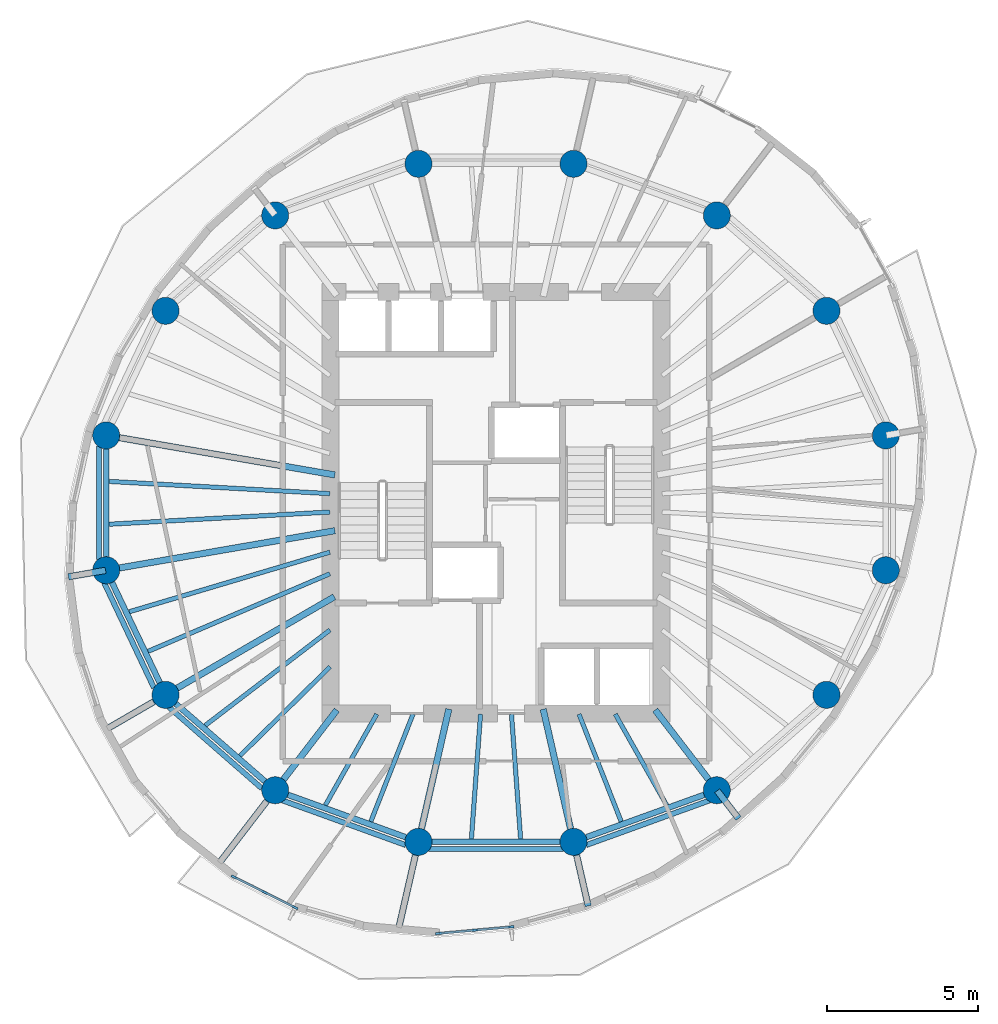
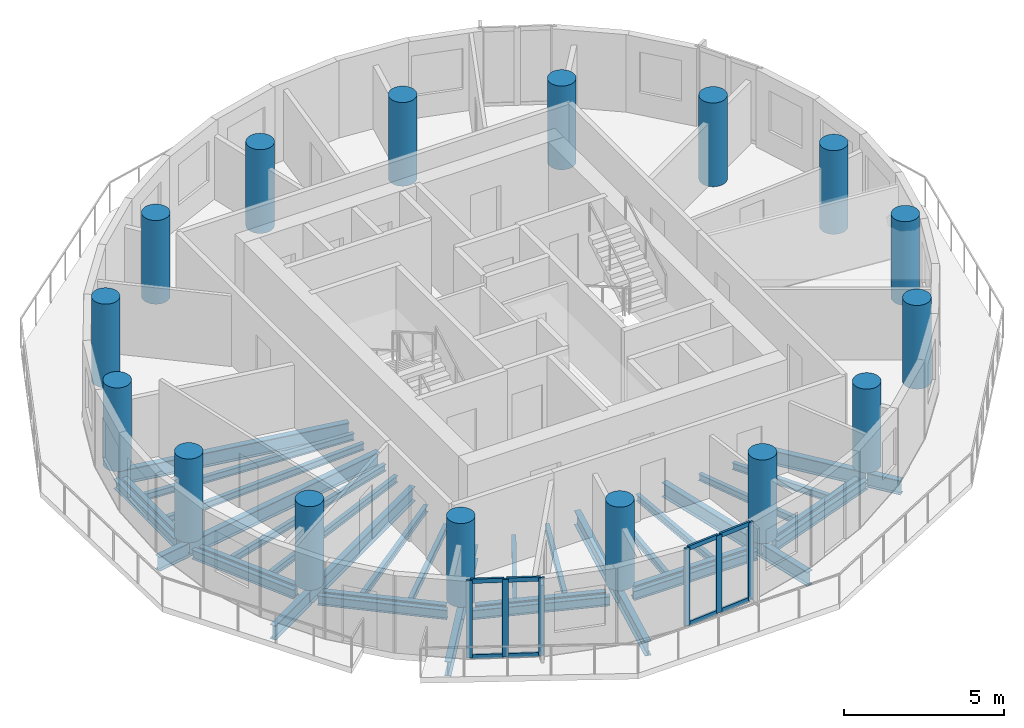
# One storey, part 1 of 10: 37 beams, 16 columns, 14 members, 2 elements without a shape of their own.
"""IFC4 building model written with IfcOpenShell, lengths in metres."""

from ifc_helpers import new_model, si_unit, direction, frame, origin, origin_2d, place, context, subcontext, project, spatial, rectangle, circle, i_section, extrude, material, material_profile, profile_set, type_object, element, aggregate, save


model = new_model("IFC4")

# Units and contexts
model_context = context("Model", 3, precision=1e-05, world=origin(), true_north=direction((0.0, 1.0)))
body_context = subcontext(model_context, "Body", "Model", "MODEL_VIEW")
ifc_project = project(units=[si_unit("LENGTHUNIT", "METRE"), si_unit("AREAUNIT", "SQUARE_METRE"), si_unit("VOLUMEUNIT", "CUBIC_METRE"), si_unit("PLANEANGLEUNIT", "RADIAN"), si_unit("MASSUNIT", "GRAM", prefix="KILO")], contexts=[model_context])

# Site, building, storey
site_placement = place(None, origin())
site = spatial("IfcSite", under=ifc_project, at=site_placement, CompositionType="ELEMENT")
building_placement = place(site_placement, origin())
building = spatial("IfcBuilding", under=site, at=building_placement, Name="Veldorim Arch Residences", CompositionType="ELEMENT")
storey_placement = place(building_placement, frame((0.0, 0.0, 185.43994140625)))
storey = spatial("IfcBuildingStorey", under=building, at=storey_placement, Name="L55", CompositionType="ELEMENT", Elevation=185.43994140625)

# Columns
ifc_material_1 = material(Name="Concrete C50/60", Category="concrete")
ifc_material_profile_1 = material_profile(ifc_material_1, circle(Radius=0.449951171875, at=origin_2d()), Name="RC_CIRC_900")
ifc_profile_set_1 = profile_set([ifc_material_profile_1], Name="Concrete C50/60")
column_type = type_object("IfcColumnType", Name="Structural Column RC_CIRC_900", PredefinedType="COLUMN", material=ifc_profile_set_1)
for number, where, z_axis, x_axis, name in (
    (1, (44.9462890625, 26.239501953125, 0.0), (0.0, 0.0, 1.0), (1.0, 0.0, 0.0), "L55 TC-Z4-01 perimeter column"),
    (2, (42.975341796875, 30.3779296875, 0.0), (0.0, 0.0, 1.0), (1.0, 0.0, 0.0), "L55 TC-Z4-02 perimeter column"),
    (3, (39.33349609375, 33.54541015625, 0.0), (0.0, 0.0, 1.0), (1.0, 0.0, 0.0), "L55 TC-Z4-03 perimeter column"),
    (4, (34.5751953125, 35.259521484375, 0.0), (0.0, 0.0, 1.0), (1.0, 0.0, 0.0), "L55 TC-Z4-04 perimeter column"),
    (5, (29.4248046875, 35.259521484375, 0.0), (0.0, 0.0, 1.0), (1.0, 0.0, 0.0), "L55 TC-Z4-05 perimeter column"),
    (6, (24.66650390625, 33.54541015625, 0.0), (0.0, 0.0, 1.0), (1.0, 0.0, 0.0), "L55 TC-Z4-06 perimeter column"),
    (7, (21.024658203125, 30.3779296875, 0.0), (0.0, 0.0, 1.0), (1.0, 0.0, 0.0), "L55 TC-Z4-07 perimeter column"),
    (8, (19.0537109375, 26.239501953125, 0.0), (0.0, 0.0, 1.0), (1.0, 0.0, 0.0), "L55 TC-Z4-08 perimeter column"),
    (9, (19.0537109375, 21.760498046875, 0.0), (0.0, 0.0, 1.0), (1.0, 0.0, 0.0), "L55 TC-Z4-09 perimeter column"),
    (10, (21.024658203125, 17.6220703125, 0.0), (0.0, 0.0, 1.0), (1.0, 0.0, 0.0), "L55 TC-Z4-10 perimeter column"),
    (11, (24.66650390625, 14.45458984375, 0.0), (0.0, 0.0, 1.0), (1.0, 0.0, 0.0), "L55 TC-Z4-11 perimeter column"),
    (12, (29.4248046875, 12.740478515625, 0.0), (0.0, 0.0, 1.0), (1.0, 0.0, 0.0), "L55 TC-Z4-12 perimeter column"),
    (13, (34.5751953125, 12.740478515625, 0.0), (0.0, 0.0, 1.0), (1.0, 0.0, 0.0), "L55 TC-Z4-13 perimeter column"),
    (14, (39.33349609375, 14.45458984375, 0.0), (0.0, 0.0, 1.0), (1.0, 0.0, 0.0), "L55 TC-Z4-14 perimeter column"),
    (15, (42.975341796875, 17.6220703125, 0.0), (0.0, 0.0, 1.0), (1.0, 0.0, 0.0), "L55 TC-Z4-15 perimeter column"),
    (16, (44.9462890625, 21.760498046875, 0.0), (0.0, 0.0, 1.0), (1.0, 0.0, 0.0), "L55 TC-Z4-16 perimeter column"),
):
    element("IfcColumn", number, at=place(storey_placement, frame(where, z_axis=z_axis, x_axis=x_axis)), inside=storey, type_object=column_type, Name=name, PredefinedType="COLUMN", context=body_context, shape_type="SweptSolid", body=[
        extrude(circle(Radius=0.449951171875, at=origin_2d()), origin(), (0.0, 0.0, 1.0), 3.199951171875),
    ])

# Beams
ifc_material_2 = material(Name="Steel S355", Category="steel")
ifc_material_profile_2 = material_profile(ifc_material_2, i_section(OverallWidth=0.2119140625, OverallDepth=0.54443359375, WebThickness=0.0126953125, FlangeThickness=0.021240234375, at=origin_2d()), Name="UB533x210x122")
ifc_profile_set_2 = profile_set([ifc_material_profile_2], Name="Steel S355")
beam_type_1 = type_object("IfcBeamType", Name="Structural Steel Beam UB533x210x122", PredefinedType="BEAM", material=ifc_profile_set_2)
for number, where, z_axis, x_axis, name in (
    (17, (26.647705078125, 24.92578125, -0.51220703125), (-0.985364974081, 0.170457818401, 0.0), (-0.170457818401, -0.985364974081, 0.0), "L55 radial floor girder 08"),
    (18, (26.647705078125, 23.07421875, -0.51220703125), (-0.985364974081, -0.170457818401, 0.0), (0.170457818401, -0.985364974081, 0.0), "L55 radial floor girder 09"),
):
    element("IfcBeam", number, at=place(storey_placement, frame(where, z_axis=z_axis, x_axis=x_axis)), inside=storey, type_object=beam_type_1, Name=name, PredefinedType="BEAM", context=body_context, shape_type="SweptSolid", body=[
        extrude(i_section(OverallWidth=0.2119140625, OverallDepth=0.54443359375, WebThickness=0.0126953125, FlangeThickness=0.021240234375, at=origin_2d()), origin(), (0.0, 0.0, 1.0), 7.68701171875),
    ])
beam_1_placement = place(storey_placement, frame((19.033935546875, 21.757080078125, -0.51220703125), z_axis=(-0.985353024945, -0.170526878328, 0.0), x_axis=(0.170526878328, -0.985353024945, 0.0)))
element("IfcBeam", 19, at=beam_1_placement, inside=storey, type_object=beam_type_1, Name="L55 radial edge cantilever girder 09", PredefinedType="BEAM", context=body_context, shape_type="SweptSolid", body=[
    extrude(i_section(OverallWidth=0.2119140625, OverallDepth=0.54443359375, WebThickness=0.0126953125, FlangeThickness=0.021240234375, at=origin_2d()), origin(), (0.0, 0.0, 1.0), 1.252685546875),
])
beam_2_placement = place(storey_placement, frame((26.629638671875, 20.87939453125, -0.51220703125), z_axis=(-0.864595736304, -0.502468121142, 0.0), x_axis=(0.502468121142, -0.864595736304, 0.0)))
element("IfcBeam", 20, at=beam_2_placement, inside=storey, type_object=beam_type_1, Name="L55 radial floor girder 10", PredefinedType="BEAM", context=body_context, shape_type="SweptSolid", body=[
    extrude(i_section(OverallWidth=0.2119140625, OverallDepth=0.54443359375, WebThickness=0.0126953125, FlangeThickness=0.021240234375, at=origin_2d()), origin(), (0.0, 0.0, 1.0), 6.462646484375),
])
beam_3_placement = place(storey_placement, frame((21.00732421875, 17.612060546875, -0.51220703125), z_axis=(-0.864602055373, -0.502457247779, 0.0), x_axis=(0.502457247779, -0.864602055373, 0.0)))
element("IfcBeam", 21, at=beam_3_placement, inside=storey, type_object=beam_type_1, Name="L55 radial edge cantilever girder 10", PredefinedType="BEAM", context=body_context, shape_type="SweptSolid", body=[
    extrude(i_section(OverallWidth=0.2119140625, OverallDepth=0.54443359375, WebThickness=0.0126953125, FlangeThickness=0.021240234375, at=origin_2d()), origin(), (0.0, 0.0, 1.0), 2.2880859375),
])
beam_4_placement = place(storey_placement, frame((26.71337890625, 17.118896484375, -0.51220703125), z_axis=(-0.609258442308, -0.792971721108, 0.0), x_axis=(0.792971721108, -0.609258442308, 0.0)))
element("IfcBeam", 22, at=beam_4_placement, inside=storey, type_object=beam_type_1, Name="L55 radial floor girder 11", PredefinedType="BEAM", context=body_context, shape_type="SweptSolid", body=[
    extrude(i_section(OverallWidth=0.2119140625, OverallDepth=0.54443359375, WebThickness=0.0126953125, FlangeThickness=0.021240234375, at=origin_2d()), origin(), (0.0, 0.0, 1.0), 3.339599609375),
])
beam_5_placement = place(storey_placement, frame((24.654296875, 14.438720703125, -0.51220703125), z_axis=(-0.609236633361, -0.792988476947, 0.0), x_axis=(0.792988476947, -0.609236633361, 0.0)))
element("IfcBeam", 23, at=beam_5_placement, inside=storey, type_object=beam_type_1, Name="L55 radial edge cantilever girder 11", PredefinedType="BEAM", context=body_context, shape_type="SweptSolid", body=[
    extrude(i_section(OverallWidth=0.2119140625, OverallDepth=0.54443359375, WebThickness=0.0126953125, FlangeThickness=0.021240234375, at=origin_2d()), origin(), (0.0, 0.0, 1.0), 3.08642578125),
])
beam_6_placement = place(storey_placement, frame((30.432373046875, 17.146240234375, -0.51220703125), z_axis=(-0.222952976993, -0.97482920045, 0.0), x_axis=(0.97482920045, -0.222952976993, 0.0)))
element("IfcBeam", 24, at=beam_6_placement, inside=storey, type_object=beam_type_1, Name="L55 radial floor girder 12", PredefinedType="BEAM", context=body_context, shape_type="SweptSolid", body=[
    extrude(i_section(OverallWidth=0.2119140625, OverallDepth=0.54443359375, WebThickness=0.0126953125, FlangeThickness=0.021240234375, at=origin_2d()), origin(), (0.0, 0.0, 1.0), 4.49951171875),
])
beam_7_placement = place(storey_placement, frame((29.42041015625, 12.72119140625, -0.51220703125), z_axis=(-0.222962695029, -0.974826977789, 0.0), x_axis=(0.974826977789, -0.222962695029, 0.0)))
element("IfcBeam", 25, at=beam_7_placement, inside=storey, type_object=beam_type_1, Name="L55 radial edge cantilever girder 12", PredefinedType="BEAM", context=body_context, shape_type="SweptSolid", body=[
    extrude(i_section(OverallWidth=0.2119140625, OverallDepth=0.54443359375, WebThickness=0.0126953125, FlangeThickness=0.021240234375, at=origin_2d()), origin(), (0.0, 0.0, 1.0), 2.98046875),
])
beam_8_placement = place(storey_placement, frame((33.567626953125, 17.146240234375, -0.51220703125), z_axis=(0.222952976993, -0.97482920045, 0.0), x_axis=(0.97482920045, 0.222952976993, 0.0)))
element("IfcBeam", 26, at=beam_8_placement, inside=storey, type_object=beam_type_1, Name="L55 radial floor girder 13", PredefinedType="BEAM", context=body_context, shape_type="SweptSolid", body=[
    extrude(i_section(OverallWidth=0.2119140625, OverallDepth=0.54443359375, WebThickness=0.0126953125, FlangeThickness=0.021240234375, at=origin_2d()), origin(), (0.0, 0.0, 1.0), 4.49951171875),
])
beam_9_placement = place(storey_placement, frame((34.57958984375, 12.72119140625, -0.51220703125), z_axis=(0.222947343298, -0.974830488914, 0.0), x_axis=(0.974830488914, 0.222947343298, 0.0)))
element("IfcBeam", 27, at=beam_9_placement, inside=storey, type_object=beam_type_1, Name="L55 radial edge cantilever girder 13", PredefinedType="BEAM", context=body_context, shape_type="SweptSolid", body=[
    extrude(i_section(OverallWidth=0.2119140625, OverallDepth=0.54443359375, WebThickness=0.0126953125, FlangeThickness=0.021240234375, at=origin_2d()), origin(), (0.0, 0.0, 1.0), 2.163818359375),
])
beam_10_placement = place(storey_placement, frame((37.28662109375, 17.118896484375, -0.51220703125), z_axis=(0.609258442308, -0.792971721108, 0.0), x_axis=(0.792971721108, 0.609258442308, 0.0)))
element("IfcBeam", 28, at=beam_10_placement, inside=storey, type_object=beam_type_1, Name="L55 radial floor girder 14", PredefinedType="BEAM", context=body_context, shape_type="SweptSolid", body=[
    extrude(i_section(OverallWidth=0.2119140625, OverallDepth=0.54443359375, WebThickness=0.0126953125, FlangeThickness=0.021240234375, at=origin_2d()), origin(), (0.0, 0.0, 1.0), 3.339599609375),
])
beam_11_placement = place(storey_placement, frame((39.345703125, 14.438720703125, -0.51220703125), z_axis=(0.609203031705, -0.793014291272, 0.0), x_axis=(0.793014291272, 0.609203031705, 0.0)))
element("IfcBeam", 29, at=beam_11_placement, inside=storey, type_object=beam_type_1, Name="L55 radial edge cantilever girder 14", PredefinedType="BEAM", context=body_context, shape_type="SweptSolid", body=[
    extrude(i_section(OverallWidth=0.2119140625, OverallDepth=0.54443359375, WebThickness=0.0126953125, FlangeThickness=0.021240234375, at=origin_2d()), origin(), (0.0, 0.0, 1.0), 1.162109375),
])
ifc_material_3 = material(Name="Steel S355", Category="steel")
ifc_material_profile_3 = material_profile(ifc_material_3, i_section(OverallWidth=0.146484375, OverallDepth=0.256103515625, WebThickness=0.00634765625, FlangeThickness=0.010986328125, at=origin_2d()), Name="UB254x146x37")
ifc_profile_set_3 = profile_set([ifc_material_profile_3], Name="Steel S355")
beam_type_2 = type_object("IfcBeamType", Name="Structural Steel Joist UB254x146x37", PredefinedType="JOIST", material=ifc_profile_set_3)
for number, where, z_axis, x_axis, name in (
    (30, (26.47998046875, 24.3056640625, -0.367919921875), (-0.998472000884, 0.055259962464, 0.0), (-0.055259962464, -0.998472000884, 0.0), "L55 secondary radial floor joist 08-1"),
    (31, (26.47998046875, 23.6943359375, -0.367919921875), (-0.998472000884, -0.055259962464, 0.0), (0.055259962464, -0.998472000884, 0.0), "L55 secondary radial floor joist 08-2"),
):
    element("IfcBeam", number, at=place(storey_placement, frame(where, z_axis=z_axis, x_axis=x_axis)), inside=storey, type_object=beam_type_2, Name=name, PredefinedType="JOIST", context=body_context, shape_type="SweptSolid", body=[
        extrude(i_section(OverallWidth=0.146484375, OverallDepth=0.256103515625, WebThickness=0.00634765625, FlangeThickness=0.010986328125, at=origin_2d()), origin(), (0.0, 0.0, 1.0), 7.33837890625),
    ])
beam_12_placement = place(storey_placement, frame((26.480712890625, 22.360595703125, -0.367919921875), z_axis=(-0.958594432792, -0.284774846889, 0.0), x_axis=(0.284774846889, -0.958594432792, 0.0)))
element("IfcBeam", 32, at=beam_12_placement, inside=storey, type_object=beam_type_2, Name="L55 secondary radial floor joist 09-1", PredefinedType="JOIST", context=body_context, shape_type="SweptSolid", body=[
    extrude(i_section(OverallWidth=0.146484375, OverallDepth=0.256103515625, WebThickness=0.00634765625, FlangeThickness=0.010986328125, at=origin_2d()), origin(), (0.0, 0.0, 1.0), 6.949462890625),
])
beam_13_placement = place(storey_placement, frame((26.481689453125, 21.644287109375, -0.367919921875), z_axis=(-0.919725161652, -0.392562895629, 0.0), x_axis=(0.392562895629, -0.919725161652, 0.0)))
element("IfcBeam", 33, at=beam_13_placement, inside=storey, type_object=beam_type_2, Name="L55 secondary radial floor joist 09-2", PredefinedType="JOIST", context=body_context, shape_type="SweptSolid", body=[
    extrude(i_section(OverallWidth=0.146484375, OverallDepth=0.256103515625, WebThickness=0.00634765625, FlangeThickness=0.010986328125, at=origin_2d()), origin(), (0.0, 0.0, 1.0), 6.5625),
])
beam_14_placement = place(storey_placement, frame((26.484130859375, 19.777099609375, -0.367919921875), z_axis=(-0.794013672216, -0.607899899929, 0.0), x_axis=(0.607899899929, -0.794013672216, 0.0)))
element("IfcBeam", 34, at=beam_14_placement, inside=storey, type_object=beam_type_2, Name="L55 secondary radial floor joist 10-1", PredefinedType="JOIST", context=body_context, shape_type="SweptSolid", body=[
    extrude(i_section(OverallWidth=0.146484375, OverallDepth=0.256103515625, WebThickness=0.00634765625, FlangeThickness=0.010986328125, at=origin_2d()), origin(), (0.0, 0.0, 1.0), 5.217041015625),
])
beam_15_placement = place(storey_placement, frame((26.48583984375, 18.55224609375, -0.367919921875), z_axis=(-0.711396725432, -0.702790650937, 0.0), x_axis=(0.702790650937, -0.711396725432, 0.0)))
element("IfcBeam", 35, at=beam_15_placement, inside=storey, type_object=beam_type_2, Name="L55 secondary radial floor joist 10-2", PredefinedType="JOIST", context=body_context, shape_type="SweptSolid", body=[
    extrude(i_section(OverallWidth=0.146484375, OverallDepth=0.256103515625, WebThickness=0.00634765625, FlangeThickness=0.010986328125, at=origin_2d()), origin(), (0.0, 0.0, 1.0), 4.198486328125),
])
beam_16_placement = place(storey_placement, frame((28.039794921875, 16.982666015625, -0.367919921875), z_axis=(-0.491452469585, -0.870904397818, 0.0), x_axis=(0.870904397818, -0.491452469585, 0.0)))
element("IfcBeam", 36, at=beam_16_placement, inside=storey, type_object=beam_type_2, Name="L55 secondary radial floor joist 11-1", PredefinedType="JOIST", context=body_context, shape_type="SweptSolid", body=[
    extrude(i_section(OverallWidth=0.146484375, OverallDepth=0.256103515625, WebThickness=0.00634765625, FlangeThickness=0.010986328125, at=origin_2d()), origin(), (0.0, 0.0, 1.0), 3.472412109375),
])
beam_17_placement = place(storey_placement, frame((29.24365234375, 16.9814453125, -0.367919921875), z_axis=(-0.365581383042, -0.930779379001, 0.0), x_axis=(0.930779379001, -0.365581383042, 0.0)))
element("IfcBeam", 37, at=beam_17_placement, inside=storey, type_object=beam_type_2, Name="L55 secondary radial floor joist 11-2", PredefinedType="JOIST", context=body_context, shape_type="SweptSolid", body=[
    extrude(i_section(OverallWidth=0.146484375, OverallDepth=0.256103515625, WebThickness=0.00634765625, FlangeThickness=0.010986328125, at=origin_2d()), origin(), (0.0, 0.0, 1.0), 3.83056640625),
])
for number, where, z_axis, x_axis, name in (
    (38, (31.486083984375, 16.97998046875, -0.367919921875), (-0.072985625899, -0.997332992742, 0.0), (0.997332992742, -0.072985625899, 0.0), "L55 secondary radial floor joist 12-1"),
    (39, (32.513916015625, 16.97998046875, -0.367919921875), (0.072985625899, -0.997332992742, 0.0), (0.997332992742, 0.072985625899, 0.0), "L55 secondary radial floor joist 12-2"),
):
    element("IfcBeam", number, at=place(storey_placement, frame(where, z_axis=z_axis, x_axis=x_axis)), inside=storey, type_object=beam_type_2, Name=name, PredefinedType="JOIST", context=body_context, shape_type="SweptSolid", body=[
        extrude(i_section(OverallWidth=0.146484375, OverallDepth=0.256103515625, WebThickness=0.00634765625, FlangeThickness=0.010986328125, at=origin_2d()), origin(), (0.0, 0.0, 1.0), 4.151123046875),
    ])
beam_18_placement = place(storey_placement, frame((34.75634765625, 16.9814453125, -0.367919921875), z_axis=(0.365581383042, -0.930779379001, 0.0), x_axis=(0.930779379001, 0.365581383042, 0.0)))
element("IfcBeam", 40, at=beam_18_placement, inside=storey, type_object=beam_type_2, Name="L55 secondary radial floor joist 13-1", PredefinedType="JOIST", context=body_context, shape_type="SweptSolid", body=[
    extrude(i_section(OverallWidth=0.146484375, OverallDepth=0.256103515625, WebThickness=0.00634765625, FlangeThickness=0.010986328125, at=origin_2d()), origin(), (0.0, 0.0, 1.0), 3.83056640625),
])
beam_19_placement = place(storey_placement, frame((35.960205078125, 16.982666015625, -0.367919921875), z_axis=(0.491452469585, -0.870904397818, 0.0), x_axis=(0.870904397818, 0.491452469585, 0.0)))
element("IfcBeam", 41, at=beam_19_placement, inside=storey, type_object=beam_type_2, Name="L55 secondary radial floor joist 13-2", PredefinedType="JOIST", context=body_context, shape_type="SweptSolid", body=[
    extrude(i_section(OverallWidth=0.146484375, OverallDepth=0.256103515625, WebThickness=0.00634765625, FlangeThickness=0.010986328125, at=origin_2d()), origin(), (0.0, 0.0, 1.0), 3.472412109375),
])
ifc_material_4 = material(Name="Steel S355", Category="steel")
ifc_material_profile_4 = material_profile(ifc_material_4, i_section(OverallWidth=0.172119140625, OverallDepth=0.35791015625, WebThickness=0.008056640625, FlangeThickness=0.012939453125, at=origin_2d()), Name="UB356x171x57")
ifc_profile_set_4 = profile_set([ifc_material_profile_4], Name="Steel S355")
beam_type_3 = type_object("IfcBeamType", Name="Structural Steel Spandrel UB356x171x57", PredefinedType="SPANDREL", material=ifc_profile_set_4)
beam_20_placement = place(storey_placement, frame((18.809814453125, 25.8857421875, -0.43896484375), z_axis=(0.0, -1.0, 0.0), x_axis=(1.0, 0.0, 0.0)))
element("IfcBeam", 42, at=beam_20_placement, inside=storey, type_object=beam_type_3, Name="L55 perimeter chord spandrel beam 08", PredefinedType="SPANDREL", context=body_context, shape_type="SweptSolid", body=[
    extrude(i_section(OverallWidth=0.172119140625, OverallDepth=0.35791015625, WebThickness=0.008056640625, FlangeThickness=0.012939453125, at=origin_2d()), origin(), (0.0, 0.0, 1.0), 3.771484375),
])
beam_21_placement = place(storey_placement, frame((18.9794921875, 21.3603515625, -0.43896484375), z_axis=(0.428408308939, -0.903585259304, 0.0), x_axis=(0.903585259304, 0.428408308939, 0.0)))
element("IfcBeam", 43, at=beam_21_placement, inside=storey, type_object=beam_type_3, Name="L55 perimeter chord spandrel beam 09", PredefinedType="SPANDREL", context=body_context, shape_type="SweptSolid", body=[
    extrude(i_section(OverallWidth=0.172119140625, OverallDepth=0.35791015625, WebThickness=0.008056640625, FlangeThickness=0.012939453125, at=origin_2d()), origin(), (0.0, 0.0, 1.0), 3.878662109375),
])
beam_22_placement = place(storey_placement, frame((21.108642578125, 17.237060546875, -0.43896484375), z_axis=(0.752847646119, -0.6581948205, 0.0), x_axis=(0.6581948205, 0.752847646119, 0.0)))
element("IfcBeam", 44, at=beam_22_placement, inside=storey, type_object=beam_type_3, Name="L55 perimeter chord spandrel beam 10", PredefinedType="SPANDREL", context=body_context, shape_type="SweptSolid", body=[
    extrude(i_section(OverallWidth=0.172119140625, OverallDepth=0.35791015625, WebThickness=0.008056640625, FlangeThickness=0.012939453125, at=origin_2d()), origin(), (0.0, 0.0, 1.0), 4.12939453125),
])
beam_23_placement = place(storey_placement, frame((24.887939453125, 14.12353515625, -0.43896484375), z_axis=(0.940164695555, -0.340720332871, 0.0), x_axis=(0.340720332871, 0.940164695555, 0.0)))
element("IfcBeam", 45, at=beam_23_placement, inside=storey, type_object=beam_type_3, Name="L55 perimeter chord spandrel beam 11", PredefinedType="SPANDREL", context=body_context, shape_type="SweptSolid", body=[
    extrude(i_section(OverallWidth=0.172119140625, OverallDepth=0.35791015625, WebThickness=0.008056640625, FlangeThickness=0.012939453125, at=origin_2d()), origin(), (0.0, 0.0, 1.0), 4.370849609375),
])
beam_24_placement = place(storey_placement, frame((29.765625, 12.499267578125, -0.43896484375), z_axis=(1.0, 0.0, 0.0), x_axis=(0.0, 1.0, 0.0)))
element("IfcBeam", 46, at=beam_24_placement, inside=storey, type_object=beam_type_3, Name="L55 perimeter chord spandrel beam 12", PredefinedType="SPANDREL", context=body_context, shape_type="SweptSolid", body=[
    extrude(i_section(OverallWidth=0.172119140625, OverallDepth=0.35791015625, WebThickness=0.008056640625, FlangeThickness=0.012939453125, at=origin_2d()), origin(), (0.0, 0.0, 1.0), 4.46875),
])
beam_25_placement = place(storey_placement, frame((35.002685546875, 12.63427734375, -0.43896484375), z_axis=(0.940164695555, 0.340720332871, 0.0), x_axis=(-0.340720332871, 0.940164695555, 0.0)))
element("IfcBeam", 47, at=beam_25_placement, inside=storey, type_object=beam_type_3, Name="L55 perimeter chord spandrel beam 13", PredefinedType="SPANDREL", context=body_context, shape_type="SweptSolid", body=[
    extrude(i_section(OverallWidth=0.172119140625, OverallDepth=0.35791015625, WebThickness=0.008056640625, FlangeThickness=0.012939453125, at=origin_2d()), origin(), (0.0, 0.0, 1.0), 4.370849609375),
])
ifc_material_5 = material(Name="Steel S355", Category="steel")
ifc_material_profile_5 = material_profile(ifc_material_5, i_section(OverallWidth=0.19140625, OverallDepth=0.4599609375, WebThickness=0.010009765625, FlangeThickness=0.01611328125, at=origin_2d()), Name="UB457x191x82")
ifc_profile_set_5 = profile_set([ifc_material_profile_5], Name="Steel S355")
beam_type_4 = type_object("IfcBeamType", Name="Structural Steel Spandrel UB457x191x82", PredefinedType="SPANDREL", material=ifc_profile_set_5)
beam_26_placement = place(storey_placement, frame((19.0537109375, 25.78955078125, -0.469970703125), z_axis=(0.0, -1.0, 0.0), x_axis=(1.0, 0.0, 0.0)))
element("IfcBeam", 48, at=beam_26_placement, inside=storey, type_object=beam_type_4, Name="L55 perimeter ring tie beam 08", PredefinedType="SPANDREL", context=body_context, shape_type="SweptSolid", body=[
    extrude(i_section(OverallWidth=0.19140625, OverallDepth=0.4599609375, WebThickness=0.010009765625, FlangeThickness=0.01611328125, at=origin_2d()), origin(), (0.0, 0.0, 1.0), 3.5791015625),
])
beam_27_placement = place(storey_placement, frame((19.2470703125, 21.35400390625, -0.469970703125), z_axis=(0.430005613988, -0.902826213586, 0.0), x_axis=(0.902826213586, 0.430005613988, 0.0)))
element("IfcBeam", 49, at=beam_27_placement, inside=storey, type_object=beam_type_4, Name="L55 perimeter ring tie beam 09", PredefinedType="SPANDREL", context=body_context, shape_type="SweptSolid", body=[
    extrude(i_section(OverallWidth=0.19140625, OverallDepth=0.4599609375, WebThickness=0.010009765625, FlangeThickness=0.01611328125, at=origin_2d()), origin(), (0.0, 0.0, 1.0), 3.68359375),
])
beam_28_placement = place(storey_placement, frame((21.364013671875, 17.326904296875, -0.469970703125), z_axis=(0.754545285701, -0.656247980436, 0.0), x_axis=(0.656247980436, 0.754545285701, 0.0)))
element("IfcBeam", 50, at=beam_28_placement, inside=storey, type_object=beam_type_4, Name="L55 perimeter ring tie beam 10", PredefinedType="SPANDREL", context=body_context, shape_type="SweptSolid", body=[
    extrude(i_section(OverallWidth=0.19140625, OverallDepth=0.4599609375, WebThickness=0.010009765625, FlangeThickness=0.01611328125, at=origin_2d()), origin(), (0.0, 0.0, 1.0), 3.9267578125),
])
beam_29_placement = place(storey_placement, frame((25.08984375, 14.30224609375, -0.469970703125), z_axis=(0.940811035395, -0.338931550137, 0.0), x_axis=(0.338931550137, 0.940811035395, 0.0)))
element("IfcBeam", 51, at=beam_29_placement, inside=storey, type_object=beam_type_4, Name="L55 perimeter ring tie beam 11", PredefinedType="SPANDREL", context=body_context, shape_type="SweptSolid", body=[
    extrude(i_section(OverallWidth=0.19140625, OverallDepth=0.4599609375, WebThickness=0.010009765625, FlangeThickness=0.01611328125, at=origin_2d()), origin(), (0.0, 0.0, 1.0), 4.15771484375),
])
beam_30_placement = place(storey_placement, frame((29.874755859375, 12.740478515625, -0.469970703125), z_axis=(1.0, 0.0, 0.0), x_axis=(0.0, 1.0, 0.0)))
element("IfcBeam", 52, at=beam_30_placement, inside=storey, type_object=beam_type_4, Name="L55 perimeter ring tie beam 12", PredefinedType="SPANDREL", context=body_context, shape_type="SweptSolid", body=[
    extrude(i_section(OverallWidth=0.19140625, OverallDepth=0.4599609375, WebThickness=0.010009765625, FlangeThickness=0.01611328125, at=origin_2d()), origin(), (0.0, 0.0, 1.0), 4.25048828125),
])
beam_31_placement = place(storey_placement, frame((34.99853515625, 12.89306640625, -0.469970703125), z_axis=(0.940811035395, 0.338931550137, 0.0), x_axis=(-0.338931550137, 0.940811035395, 0.0)))
element("IfcBeam", 53, at=beam_31_placement, inside=storey, type_object=beam_type_4, Name="L55 perimeter ring tie beam 13", PredefinedType="SPANDREL", context=body_context, shape_type="SweptSolid", body=[
    extrude(i_section(OverallWidth=0.19140625, OverallDepth=0.4599609375, WebThickness=0.010009765625, FlangeThickness=0.01611328125, at=origin_2d()), origin(), (0.0, 0.0, 1.0), 4.15771484375),
])

# Curtain wall, members
ifc_material_6 = material(Name="Aluminium", Category="aluminium")
curtain_wall_type = type_object("IfcCurtainWallType", Name="Zone 4 High-Altitude Unitised Curtain Wall", PredefinedType="NOTDEFINED", material=ifc_material_6)
curtain_wall_1_placement = place(storey_placement, origin())
curtain_wall_1 = element("IfcCurtainWall", 54, at=curtain_wall_1_placement, inside=storey, type_object=curtain_wall_type, Name="L55 unitised curtain wall bay 20", PredefinedType="NOTDEFINED")
ifc_material_7 = material(Name="Aluminium", Category="aluminium")
ifc_material_profile_6 = material_profile(ifc_material_7, rectangle(XDim=0.074951171875, YDim=0.195068359375, at=origin_2d()), Name="ALU_MUL_75x195")
ifc_profile_set_6 = profile_set([ifc_material_profile_6], Name="Aluminium")
member_type_1 = type_object("IfcMemberType", Name="Zone 4 High-Altitude Unitised Curtain Wall Mullion 75x195", PredefinedType="MULLION", material=ifc_profile_set_6)
member_1_placement = place(storey_placement, frame((25.330810546875, 10.553466796875, 0.0), z_axis=(0.0, 0.0, 1.0), x_axis=(-0.448866145175, -0.893599006107, 0.0)))
member_1 = element("IfcMember", 55, at=member_1_placement, type_object=member_type_1, Name="CW-Z4 mullion 1", PredefinedType="MULLION", context=body_context, shape_type="SweptSolid", body=[
    extrude(rectangle(XDim=0.074951171875, YDim=0.195068359375, at=origin_2d()), origin(), (0.0, 0.0, 1.0), 2.9599609375),
])
member_2_placement = place(storey_placement, frame((24.31591796875, 11.0634765625, 0.0), z_axis=(0.0, 0.0, 1.0), x_axis=(-0.448866145175, -0.893599006107, 0.0)))
member_2 = element("IfcMember", 56, at=member_2_placement, type_object=member_type_1, Name="CW-Z4 mullion 2", PredefinedType="MULLION", context=body_context, shape_type="SweptSolid", body=[
    extrude(rectangle(XDim=0.074951171875, YDim=0.195068359375, at=origin_2d()), origin(), (0.0, 0.0, 1.0), 2.9599609375),
])
member_3_placement = place(storey_placement, frame((23.30078125, 11.5732421875, 0.0), z_axis=(0.0, 0.0, 1.0), x_axis=(-0.448866145175, -0.893599006107, 0.0)))
member_3 = element("IfcMember", 57, at=member_3_placement, type_object=member_type_1, Name="CW-Z4 mullion 3", PredefinedType="MULLION", context=body_context, shape_type="SweptSolid", body=[
    extrude(rectangle(XDim=0.074951171875, YDim=0.195068359375, at=origin_2d()), origin(), (0.0, 0.0, 1.0), 2.9599609375),
])

curtain_wall_2_placement = place(storey_placement, origin())
curtain_wall_2 = element("IfcCurtainWall", 58, at=curtain_wall_2_placement, inside=storey, type_object=curtain_wall_type, Name="L55 unitised curtain wall bay 23", PredefinedType="NOTDEFINED")
member_4_placement = place(storey_placement, frame((32.503173828125, 9.916259765625, 0.0), z_axis=(0.0, 0.0, 1.0), x_axis=(0.090521332333, -0.9958945167, 0.0)))
member_4 = element("IfcMember", 59, at=member_4_placement, type_object=member_type_1, Name="CW-Z4 mullion 1", PredefinedType="MULLION", context=body_context, shape_type="SweptSolid", body=[
    extrude(rectangle(XDim=0.074951171875, YDim=0.195068359375, at=origin_2d()), origin(), (0.0, 0.0, 1.0), 2.9599609375),
])
member_5_placement = place(storey_placement, frame((31.294677734375, 9.806396484375, 0.0), z_axis=(0.0, 0.0, 1.0), x_axis=(0.090521332333, -0.9958945167, 0.0)))
member_5 = element("IfcMember", 60, at=member_5_placement, type_object=member_type_1, Name="CW-Z4 mullion 2", PredefinedType="MULLION", context=body_context, shape_type="SweptSolid", body=[
    extrude(rectangle(XDim=0.074951171875, YDim=0.195068359375, at=origin_2d()), origin(), (0.0, 0.0, 1.0), 2.9599609375),
])
member_6_placement = place(storey_placement, frame((30.0859375, 9.696533203125, 0.0), z_axis=(0.0, 0.0, 1.0), x_axis=(0.090521332333, -0.9958945167, 0.0)))
member_6 = element("IfcMember", 61, at=member_6_placement, type_object=member_type_1, Name="CW-Z4 mullion 3", PredefinedType="MULLION", context=body_context, shape_type="SweptSolid", body=[
    extrude(rectangle(XDim=0.074951171875, YDim=0.195068359375, at=origin_2d()), origin(), (0.0, 0.0, 1.0), 2.9599609375),
])

# Member
ifc_material_8 = material(Name="Aluminium", Category="aluminium")
ifc_material_profile_7 = material_profile(ifc_material_8, rectangle(XDim=0.074951171875, YDim=0.1650390625, at=origin_2d()), Name="ALU_TRN_75x165")
ifc_profile_set_7 = profile_set([ifc_material_profile_7], Name="Aluminium")
member_type_2 = type_object("IfcMemberType", Name="Zone 4 High-Altitude Unitised Curtain Wall Transom 75x165", PredefinedType="USERDEFINED", material=ifc_profile_set_7)
member_7_placement = place(storey_placement, frame((25.29736328125, 10.5703125, 0.03759765625), z_axis=(-0.89355102998, 0.448961642929, 0.0), x_axis=(-0.448961642929, -0.89355102998, 0.0)))
member_7 = element("IfcMember", 62, at=member_7_placement, type_object=member_type_2, Name="CW-Z4 transom 1.1", ObjectType="TRANSOM", PredefinedType="USERDEFINED", context=body_context, shape_type="SweptSolid", body=[
    extrude(rectangle(XDim=0.074951171875, YDim=0.1650390625, at=origin_2d()), origin(), (0.0, 0.0, 1.0), 1.06103515625),
])

member_8_placement = place(storey_placement, frame((25.29736328125, 10.5703125, 2.922607421875), z_axis=(-0.89355102998, 0.448961642929, 0.0), x_axis=(-0.448961642929, -0.89355102998, 0.0)))
member_8 = element("IfcMember", 63, at=member_8_placement, type_object=member_type_2, Name="CW-Z4 transom 1.2", ObjectType="TRANSOM", PredefinedType="USERDEFINED", context=body_context, shape_type="SweptSolid", body=[
    extrude(rectangle(XDim=0.074951171875, YDim=0.1650390625, at=origin_2d()), origin(), (0.0, 0.0, 1.0), 1.06103515625),
])

member_9_placement = place(storey_placement, frame((24.2822265625, 11.080322265625, 0.03759765625), z_axis=(-0.893643337386, 0.448777879965, 0.0), x_axis=(-0.448777879965, -0.893643337386, 0.0)))
member_9 = element("IfcMember", 64, at=member_9_placement, type_object=member_type_2, Name="CW-Z4 transom 2.1", ObjectType="TRANSOM", PredefinedType="USERDEFINED", context=body_context, shape_type="SweptSolid", body=[
    extrude(rectangle(XDim=0.074951171875, YDim=0.1650390625, at=origin_2d()), origin(), (0.0, 0.0, 1.0), 1.060791015625),
])

member_10_placement = place(storey_placement, frame((24.2822265625, 11.080322265625, 2.922607421875), z_axis=(-0.893643337386, 0.448777879965, 0.0), x_axis=(-0.448777879965, -0.893643337386, 0.0)))
member_10 = element("IfcMember", 65, at=member_10_placement, type_object=member_type_2, Name="CW-Z4 transom 2.2", ObjectType="TRANSOM", PredefinedType="USERDEFINED", context=body_context, shape_type="SweptSolid", body=[
    extrude(rectangle(XDim=0.074951171875, YDim=0.1650390625, at=origin_2d()), origin(), (0.0, 0.0, 1.0), 1.060791015625),
])

aggregate(curtain_wall_1, [member_1, member_2, member_3, member_7, member_8, member_9, member_10])

member_11_placement = place(storey_placement, frame((32.4658203125, 9.912841796875, 0.03759765625), z_axis=(-0.995896721259, -0.090497075015, 0.0), x_axis=(0.090497075015, -0.995896721259, 0.0)))
member_11 = element("IfcMember", 66, at=member_11_placement, type_object=member_type_2, Name="CW-Z4 transom 1.1", ObjectType="TRANSOM", PredefinedType="USERDEFINED", context=body_context, shape_type="SweptSolid", body=[
    extrude(rectangle(XDim=0.074951171875, YDim=0.1650390625, at=origin_2d()), origin(), (0.0, 0.0, 1.0), 1.138427734375),
])

member_12_placement = place(storey_placement, frame((32.4658203125, 9.912841796875, 2.922607421875), z_axis=(-0.995896721259, -0.090497075015, 0.0), x_axis=(0.090497075015, -0.995896721259, 0.0)))
member_12 = element("IfcMember", 67, at=member_12_placement, type_object=member_type_2, Name="CW-Z4 transom 1.2", ObjectType="TRANSOM", PredefinedType="USERDEFINED", context=body_context, shape_type="SweptSolid", body=[
    extrude(rectangle(XDim=0.074951171875, YDim=0.1650390625, at=origin_2d()), origin(), (0.0, 0.0, 1.0), 1.138427734375),
])

member_13_placement = place(storey_placement, frame((31.25732421875, 9.802978515625, 0.03759765625), z_axis=(-0.995898476966, -0.090477751836, 0.0), x_axis=(0.090477751836, -0.995898476966, 0.0)))
member_13 = element("IfcMember", 68, at=member_13_placement, type_object=member_type_2, Name="CW-Z4 transom 2.1", ObjectType="TRANSOM", PredefinedType="USERDEFINED", context=body_context, shape_type="SweptSolid", body=[
    extrude(rectangle(XDim=0.074951171875, YDim=0.1650390625, at=origin_2d()), origin(), (0.0, 0.0, 1.0), 1.138671875),
])

member_14_placement = place(storey_placement, frame((31.25732421875, 9.802978515625, 2.922607421875), z_axis=(-0.995898476966, -0.090477751836, 0.0), x_axis=(0.090477751836, -0.995898476966, 0.0)))
member_14 = element("IfcMember", 69, at=member_14_placement, type_object=member_type_2, Name="CW-Z4 transom 2.2", ObjectType="TRANSOM", PredefinedType="USERDEFINED", context=body_context, shape_type="SweptSolid", body=[
    extrude(rectangle(XDim=0.074951171875, YDim=0.1650390625, at=origin_2d()), origin(), (0.0, 0.0, 1.0), 1.138671875),
])

aggregate(curtain_wall_2, [member_4, member_5, member_6, member_11, member_12, member_13, member_14])

save(model, "model.ifc")
